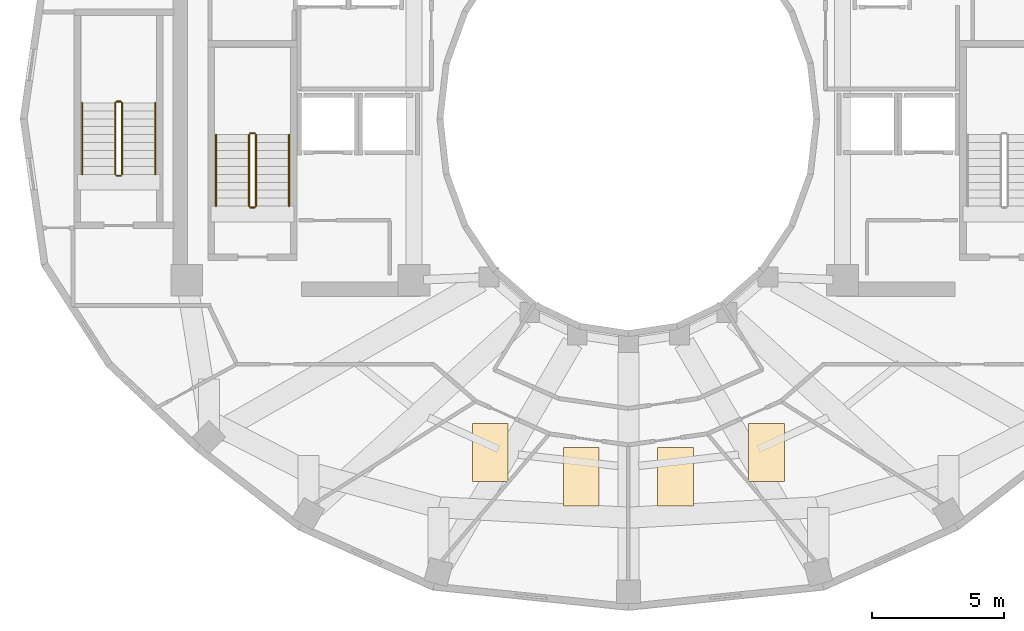
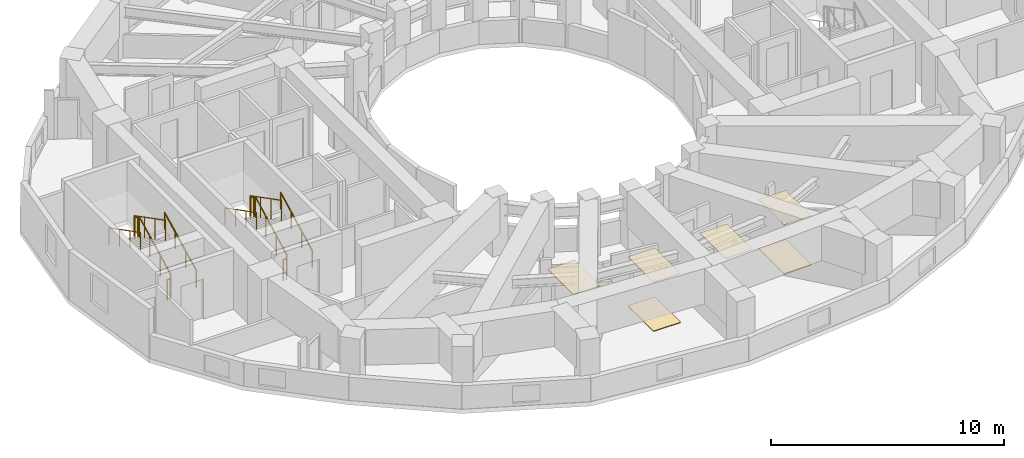
# One storey, part 8 of 9: 12 railings, 6 coverings.
"""IFC4 building model written with IfcOpenShell, lengths in metres."""

from ifc_helpers import new_model, si_unit, direction, frame, origin, origin_2d, place, context, subcontext, project, spatial, polyline, circle, outline, extrude, material, layer, layer_set, type_object, element, save


model = new_model("IFC4")

# Units and contexts
model_context = context("Model", 3, precision=1e-05, world=origin(), true_north=direction((0.0, 1.0)))
body_context = subcontext(model_context, "Body", "Model", "MODEL_VIEW")
ifc_project = project(units=[si_unit("LENGTHUNIT", "METRE"), si_unit("AREAUNIT", "SQUARE_METRE"), si_unit("VOLUMEUNIT", "CUBIC_METRE"), si_unit("PLANEANGLEUNIT", "RADIAN"), si_unit("MASSUNIT", "GRAM", prefix="KILO")], contexts=[model_context])

# Site, building, storey
site_placement = place(None, origin())
site = spatial("IfcSite", under=ifc_project, at=site_placement, CompositionType="ELEMENT")
building_placement = place(site_placement, origin())
building = spatial("IfcBuilding", under=site, at=building_placement, Name="Solvane Sanctuary Tower", CompositionType="ELEMENT")
storey_placement = place(building_placement, frame((0.0, 0.0, 187.0)))
storey = spatial("IfcBuildingStorey", under=building, at=storey_placement, Name="L57", CompositionType="ELEMENT", Elevation=187.0)

# Coverings
ifc_material_1 = material(Name="Acoustic Gypsum Partition Board")
ifc_layer_1 = layer(ifc_material_1, 0.02490234375, Name="Acoustic Gypsum Partition Board")
ifc_layer_set_1 = layer_set([ifc_layer_1], Name="Acoustic Gypsum Partition Board")
covering_type_1 = type_object("IfcCoveringType", Name="Covering CLG-ACOUST", PredefinedType="CEILING", material=ifc_layer_set_1)
covering_1_placement = place(storey_placement, frame((0.0, 0.0, 2.570068359375)))
element("IfcCovering", 1, at=covering_1_placement, inside=storey, type_object=covering_type_1, Name="L57 Unit Acoustic Ceiling Panel 5", PredefinedType="CEILING", context=body_context, shape_type="SweptSolid", body=[
    extrude(outline(polyline([(26.10107421875, 9.2890625), (27.450927734375, 9.2890625), (27.450927734375, 11.489013671875), (26.10107421875, 11.489013671875), (26.10107421875, 9.2890625)])), origin(), (0.0, 0.0, 1.0), 0.030029296875),
])
covering_2_placement = place(storey_placement, frame((0.0, 0.0, 2.570068359375)))
element("IfcCovering", 2, at=covering_2_placement, inside=storey, type_object=covering_type_1, Name="L57 Unit Acoustic Ceiling Panel 6", PredefinedType="CEILING", context=body_context, shape_type="SweptSolid", body=[
    extrude(outline(polyline([(29.54296875, 8.366943359375), (30.89306640625, 8.366943359375), (30.89306640625, 10.56689453125), (29.54296875, 10.56689453125), (29.54296875, 8.366943359375)])), origin(), (0.0, 0.0, 1.0), 0.030029296875),
])
covering_3_placement = place(storey_placement, frame((0.0, 0.0, 2.570068359375)))
element("IfcCovering", 3, at=covering_3_placement, inside=storey, type_object=covering_type_1, Name="L57 Unit Acoustic Ceiling Panel 7", PredefinedType="CEILING", context=body_context, shape_type="SweptSolid", body=[
    extrude(outline(polyline([(33.10693359375, 8.366943359375), (34.45703125, 8.366943359375), (34.45703125, 10.56689453125), (33.10693359375, 10.56689453125), (33.10693359375, 8.366943359375)])), origin(), (0.0, 0.0, 1.0), 0.030029296875),
])
covering_4_placement = place(storey_placement, frame((0.0, 0.0, 2.570068359375)))
element("IfcCovering", 4, at=covering_4_placement, inside=storey, type_object=covering_type_1, Name="L57 Unit Acoustic Ceiling Panel 8", PredefinedType="CEILING", context=body_context, shape_type="SweptSolid", body=[
    extrude(outline(polyline([(36.549072265625, 9.2890625), (37.89892578125, 9.2890625), (37.89892578125, 11.489013671875), (36.549072265625, 11.489013671875), (36.549072265625, 9.2890625)])), origin(), (0.0, 0.0, 1.0), 0.030029296875),
])
ifc_material_2 = material(Name="Ceramic Tile Finish")
ifc_layer_2 = layer(ifc_material_2, 0.030029296875, Name="Ceramic Tile Finish")
ifc_layer_set_2 = layer_set([ifc_layer_2], Name="Ceramic Tile Finish")
covering_type_2 = type_object("IfcCoveringType", Name="Covering FLR-TERRAZZO", PredefinedType="FLOORING", material=ifc_layer_set_2)
covering_5_placement = place(storey_placement, origin())
element("IfcCovering", 5, at=covering_5_placement, inside=storey, type_object=covering_type_2, Name="L57 Unit Terrazzo Inlay 6", PredefinedType="FLOORING", context=body_context, shape_type="SweptSolid", body=[
    extrude(outline(polyline([(29.54296875, 8.366943359375), (30.89306640625, 8.366943359375), (30.89306640625, 10.56689453125), (29.54296875, 10.56689453125), (29.54296875, 8.366943359375)])), origin(), (0.0, 0.0, 1.0), 0.034912109375),
])
covering_6_placement = place(storey_placement, origin())
element("IfcCovering", 6, at=covering_6_placement, inside=storey, type_object=covering_type_2, Name="L57 Unit Terrazzo Inlay 8", PredefinedType="FLOORING", context=body_context, shape_type="SweptSolid", body=[
    extrude(outline(polyline([(36.549072265625, 9.2890625), (37.89892578125, 9.2890625), (37.89892578125, 11.489013671875), (36.549072265625, 11.489013671875), (36.549072265625, 9.2890625)])), origin(), (0.0, 0.0, 1.0), 0.034912109375),
])

# Railings
ifc_material_3 = material(Name="Architectural Stainless Steel 316", Category="steel")
railing_type_1 = type_object("IfcRailingType", Name="Railing GR-BALC-1150", PredefinedType="BALUSTRADE", material=ifc_material_3)
railing_1_placement = place(storey_placement, frame((17.919921875, 19.699951171875, 0.155029296875)))
element("IfcRailing", 7, at=railing_1_placement, inside=storey, type_object=railing_type_1, Name="L57 ST-1 stair guard 1", PredefinedType="BALUSTRADE", context=body_context, shape_type="SweptSolid", body=[
    extrude(circle(Radius=0.02392578125, at=origin_2d()), frame((0.0, 0.0, 1.076171875), z_axis=(0.0, 0.888419900624, 0.459031676658), x_axis=(-1.0, 0.0, 0.0)), (0.0, 0.0, 1.0), 3.0390625),
    extrude(circle(Radius=0.02099609375, at=origin_2d()), origin(), (0.0, 0.0, 1.0), 1.052001953125),
    extrude(circle(Radius=0.02099609375, at=origin_2d()), frame((0.0, 0.89990234375, 0.465087890625)), (0.0, 0.0, 1.0), 1.052001953125),
    extrude(circle(Radius=0.02099609375, at=origin_2d()), frame((0.0, 1.800048828125, 0.929931640625)), (0.0, 0.0, 1.0), 1.052001953125),
    extrude(circle(Radius=0.02099609375, at=origin_2d()), frame((0.0, 2.699951171875, 1.39501953125)), (0.0, 0.0, 1.0), 1.052001953125),
])
railing_2_placement = place(storey_placement, frame((17.8701171875, 22.449951171875, 1.550048828125)))
element("IfcRailing", 8, at=railing_2_placement, inside=storey, type_object=railing_type_1, Name="L57 ST-1 stair guard 2", PredefinedType="BALUSTRADE", context=body_context, shape_type="SweptSolid", body=[
    extrude(circle(Radius=0.02392578125, at=origin_2d()), frame((0.0, 0.0, 1.076171875), z_axis=(-1.0, 0.0, 0.0), x_axis=(0.0, -1.0, 0.0)), (0.0, 0.0, 1.0), 0.16015625),
    extrude(circle(Radius=0.02099609375, at=origin_2d()), origin(), (0.0, 0.0, 1.0), 1.052001953125),
    extrude(circle(Radius=0.02099609375, at=origin_2d()), frame((-0.16015625, 0.0, 0.0)), (0.0, 0.0, 1.0), 1.052001953125),
])
railing_3_placement = place(storey_placement, frame((17.659912109375, 22.39990234375, 1.705078125)))
element("IfcRailing", 9, at=railing_3_placement, inside=storey, type_object=railing_type_1, Name="L57 ST-1 stair guard 3", PredefinedType="BALUSTRADE", context=body_context, shape_type="SweptSolid", body=[
    extrude(circle(Radius=0.02392578125, at=origin_2d()), frame((0.0, 0.0, 1.076171875), z_axis=(0.0, -0.888419900624, 0.459031676658), x_axis=(1.0, 0.0, 0.0)), (0.0, 0.0, 1.0), 3.0390625),
    extrude(circle(Radius=0.02099609375, at=origin_2d()), origin(), (0.0, 0.0, 1.0), 1.052001953125),
    extrude(circle(Radius=0.02099609375, at=origin_2d()), frame((0.0, -0.89990234375, 0.465087890625)), (0.0, 0.0, 1.0), 1.052001953125),
    extrude(circle(Radius=0.02099609375, at=origin_2d()), frame((0.0, -1.800048828125, 0.929931640625)), (0.0, 0.0, 1.0), 1.052001953125),
    extrude(circle(Radius=0.02099609375, at=origin_2d()), frame((0.0, -2.699951171875, 1.39501953125)), (0.0, 0.0, 1.0), 1.052001953125),
])
railing_4_placement = place(storey_placement, frame((17.8701171875, 19.64990234375, 0.0)))
element("IfcRailing", 10, at=railing_4_placement, inside=storey, type_object=railing_type_1, Name="L57 ST-1 stair guard 4", PredefinedType="BALUSTRADE", context=body_context, shape_type="SweptSolid", body=[
    extrude(circle(Radius=0.02392578125, at=origin_2d()), frame((0.0, 0.0, 1.076171875), z_axis=(-1.0, 0.0, 0.0), x_axis=(0.0, -1.0, 0.0)), (0.0, 0.0, 1.0), 0.16015625),
    extrude(circle(Radius=0.02099609375, at=origin_2d()), origin(), (0.0, 0.0, 1.0), 1.052001953125),
    extrude(circle(Radius=0.02099609375, at=origin_2d()), frame((-0.16015625, 0.0, 0.0)), (0.0, 0.0, 1.0), 1.052001953125),
])
railing_5_placement = place(storey_placement, frame((12.860107421875, 20.89990234375, 0.155029296875)))
element("IfcRailing", 11, at=railing_5_placement, inside=storey, type_object=railing_type_1, Name="L57 ST-3 stair guard 1", PredefinedType="BALUSTRADE", context=body_context, shape_type="SweptSolid", body=[
    extrude(circle(Radius=0.02392578125, at=origin_2d()), frame((0.0, 0.0, 1.076171875), z_axis=(0.0, 0.888436826113, 0.458998917216), x_axis=(-1.0, 0.0, 0.0)), (0.0, 0.0, 1.0), 3.039306640625),
    extrude(circle(Radius=0.02099609375, at=origin_2d()), origin(), (0.0, 0.0, 1.0), 1.052001953125),
    extrude(circle(Radius=0.02099609375, at=origin_2d()), frame((0.0, 0.900146484375, 0.465087890625)), (0.0, 0.0, 1.0), 1.052001953125),
    extrude(circle(Radius=0.02099609375, at=origin_2d()), frame((0.0, 1.800048828125, 0.929931640625)), (0.0, 0.0, 1.0), 1.052001953125),
    extrude(circle(Radius=0.02099609375, at=origin_2d()), frame((0.0, 2.7001953125, 1.39501953125)), (0.0, 0.0, 1.0), 1.052001953125),
])
railing_6_placement = place(storey_placement, frame((12.81005859375, 23.64990234375, 1.550048828125)))
element("IfcRailing", 12, at=railing_6_placement, inside=storey, type_object=railing_type_1, Name="L57 ST-3 stair guard 2", PredefinedType="BALUSTRADE", context=body_context, shape_type="SweptSolid", body=[
    extrude(circle(Radius=0.02392578125, at=origin_2d()), frame((0.0, 0.0, 1.076171875), z_axis=(-1.0, 0.0, 0.0), x_axis=(0.0, -1.0, 0.0)), (0.0, 0.0, 1.0), 0.16015625),
    extrude(circle(Radius=0.02099609375, at=origin_2d()), origin(), (0.0, 0.0, 1.0), 1.052001953125),
    extrude(circle(Radius=0.02099609375, at=origin_2d()), frame((-0.16015625, 0.0, 0.0)), (0.0, 0.0, 1.0), 1.052001953125),
])
railing_7_placement = place(storey_placement, frame((12.60009765625, 23.60009765625, 1.705078125)))
element("IfcRailing", 13, at=railing_7_placement, inside=storey, type_object=railing_type_1, Name="L57 ST-3 stair guard 3", PredefinedType="BALUSTRADE", context=body_context, shape_type="SweptSolid", body=[
    extrude(circle(Radius=0.02392578125, at=origin_2d()), frame((0.0, 0.0, 1.076171875), z_axis=(0.0, -0.888436826113, 0.458998917216), x_axis=(1.0, 0.0, 0.0)), (0.0, 0.0, 1.0), 3.039306640625),
    extrude(circle(Radius=0.02099609375, at=origin_2d()), origin(), (0.0, 0.0, 1.0), 1.052001953125),
    extrude(circle(Radius=0.02099609375, at=origin_2d()), frame((0.0, -0.900146484375, 0.465087890625)), (0.0, 0.0, 1.0), 1.052001953125),
    extrude(circle(Radius=0.02099609375, at=origin_2d()), frame((0.0, -1.800048828125, 0.929931640625)), (0.0, 0.0, 1.0), 1.052001953125),
    extrude(circle(Radius=0.02099609375, at=origin_2d()), frame((0.0, -2.7001953125, 1.39501953125)), (0.0, 0.0, 1.0), 1.052001953125),
])
railing_8_placement = place(storey_placement, frame((12.81005859375, 20.85009765625, 0.0)))
element("IfcRailing", 14, at=railing_8_placement, inside=storey, type_object=railing_type_1, Name="L57 ST-3 stair guard 4", PredefinedType="BALUSTRADE", context=body_context, shape_type="SweptSolid", body=[
    extrude(circle(Radius=0.02392578125, at=origin_2d()), frame((0.0, 0.0, 1.076171875), z_axis=(-1.0, 0.0, 0.0), x_axis=(0.0, -1.0, 0.0)), (0.0, 0.0, 1.0), 0.16015625),
    extrude(circle(Radius=0.02099609375, at=origin_2d()), origin(), (0.0, 0.0, 1.0), 1.052001953125),
    extrude(circle(Radius=0.02099609375, at=origin_2d()), frame((-0.16015625, 0.0, 0.0)), (0.0, 0.0, 1.0), 1.052001953125),
])
railing_type_2 = type_object("IfcRailingType", Name="Railing HR-STAIR-920", PredefinedType="HANDRAIL", material=ifc_material_3)
railing_9_placement = place(storey_placement, frame((19.169921875, 19.699951171875, 0.155029296875)))
element("IfcRailing", 15, at=railing_9_placement, inside=storey, type_object=railing_type_2, Name="L57 ST-1 stair handrail 1", PredefinedType="HANDRAIL", context=body_context, shape_type="SweptSolid", body=[
    extrude(circle(Radius=0.02392578125, at=origin_2d()), frame((0.0, 0.0, 0.8759765625), z_axis=(0.0, 0.888419900624, 0.459031676658), x_axis=(-1.0, 0.0, 0.0)), (0.0, 0.0, 1.0), 3.0390625),
    extrude(circle(Radius=0.02099609375, at=origin_2d()), origin(), (0.0, 0.0, 1.0), 0.851806640625),
    extrude(circle(Radius=0.02099609375, at=origin_2d()), frame((0.0, 0.89990234375, 0.465087890625)), (0.0, 0.0, 1.0), 0.851806640625),
    extrude(circle(Radius=0.02099609375, at=origin_2d()), frame((0.0, 1.800048828125, 0.929931640625)), (0.0, 0.0, 1.0), 0.851806640625),
    extrude(circle(Radius=0.02099609375, at=origin_2d()), frame((0.0, 2.699951171875, 1.39501953125)), (0.0, 0.0, 1.0), 0.851806640625),
])
railing_10_placement = place(storey_placement, frame((16.409912109375, 22.39990234375, 1.705078125)))
element("IfcRailing", 16, at=railing_10_placement, inside=storey, type_object=railing_type_2, Name="L57 ST-1 stair handrail 2", PredefinedType="HANDRAIL", context=body_context, shape_type="SweptSolid", body=[
    extrude(circle(Radius=0.02392578125, at=origin_2d()), frame((0.0, 0.0, 0.8759765625), z_axis=(0.0, -0.888419900624, 0.459031676658), x_axis=(1.0, 0.0, 0.0)), (0.0, 0.0, 1.0), 3.0390625),
    extrude(circle(Radius=0.02099609375, at=origin_2d()), origin(), (0.0, 0.0, 1.0), 0.851806640625),
    extrude(circle(Radius=0.02099609375, at=origin_2d()), frame((0.0, -0.89990234375, 0.465087890625)), (0.0, 0.0, 1.0), 0.851806640625),
    extrude(circle(Radius=0.02099609375, at=origin_2d()), frame((0.0, -1.800048828125, 0.929931640625)), (0.0, 0.0, 1.0), 0.851806640625),
    extrude(circle(Radius=0.02099609375, at=origin_2d()), frame((0.0, -2.699951171875, 1.39501953125)), (0.0, 0.0, 1.0), 0.851806640625),
])
railing_11_placement = place(storey_placement, frame((14.110107421875, 20.89990234375, 0.155029296875)))
element("IfcRailing", 17, at=railing_11_placement, inside=storey, type_object=railing_type_2, Name="L57 ST-3 stair handrail 1", PredefinedType="HANDRAIL", context=body_context, shape_type="SweptSolid", body=[
    extrude(circle(Radius=0.02392578125, at=origin_2d()), frame((0.0, 0.0, 0.8759765625), z_axis=(0.0, 0.888436826113, 0.458998917216), x_axis=(-1.0, 0.0, 0.0)), (0.0, 0.0, 1.0), 3.039306640625),
    extrude(circle(Radius=0.02099609375, at=origin_2d()), origin(), (0.0, 0.0, 1.0), 0.851806640625),
    extrude(circle(Radius=0.02099609375, at=origin_2d()), frame((0.0, 0.900146484375, 0.465087890625)), (0.0, 0.0, 1.0), 0.851806640625),
    extrude(circle(Radius=0.02099609375, at=origin_2d()), frame((0.0, 1.800048828125, 0.929931640625)), (0.0, 0.0, 1.0), 0.851806640625),
    extrude(circle(Radius=0.02099609375, at=origin_2d()), frame((0.0, 2.7001953125, 1.39501953125)), (0.0, 0.0, 1.0), 0.851806640625),
])
railing_12_placement = place(storey_placement, frame((11.35009765625, 23.60009765625, 1.705078125)))
element("IfcRailing", 18, at=railing_12_placement, inside=storey, type_object=railing_type_2, Name="L57 ST-3 stair handrail 2", PredefinedType="HANDRAIL", context=body_context, shape_type="SweptSolid", body=[
    extrude(circle(Radius=0.02392578125, at=origin_2d()), frame((0.0, 0.0, 0.8759765625), z_axis=(0.0, -0.888436826113, 0.458998917216), x_axis=(1.0, 0.0, 0.0)), (0.0, 0.0, 1.0), 3.039306640625),
    extrude(circle(Radius=0.02099609375, at=origin_2d()), origin(), (0.0, 0.0, 1.0), 0.851806640625),
    extrude(circle(Radius=0.02099609375, at=origin_2d()), frame((0.0, -0.900146484375, 0.465087890625)), (0.0, 0.0, 1.0), 0.851806640625),
    extrude(circle(Radius=0.02099609375, at=origin_2d()), frame((0.0, -1.800048828125, 0.929931640625)), (0.0, 0.0, 1.0), 0.851806640625),
    extrude(circle(Radius=0.02099609375, at=origin_2d()), frame((0.0, -2.7001953125, 1.39501953125)), (0.0, 0.0, 1.0), 0.851806640625),
])

save(model, "model.ifc")
